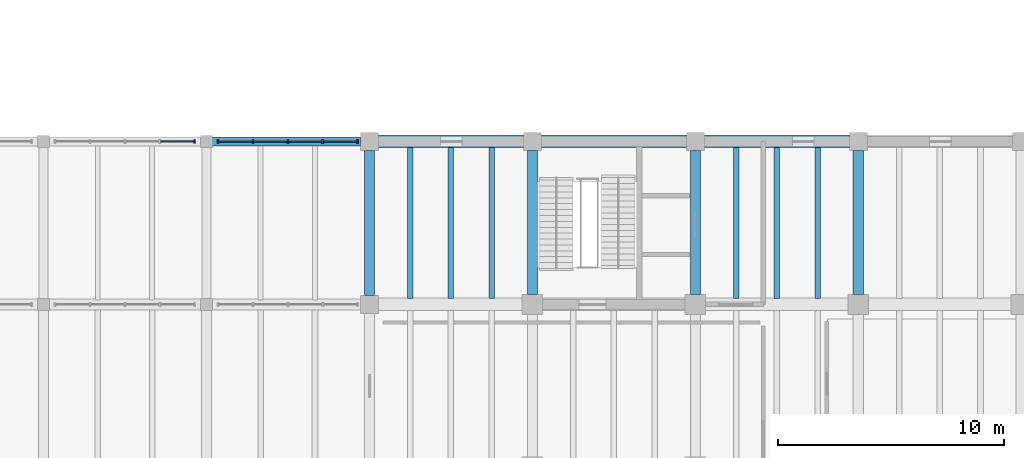
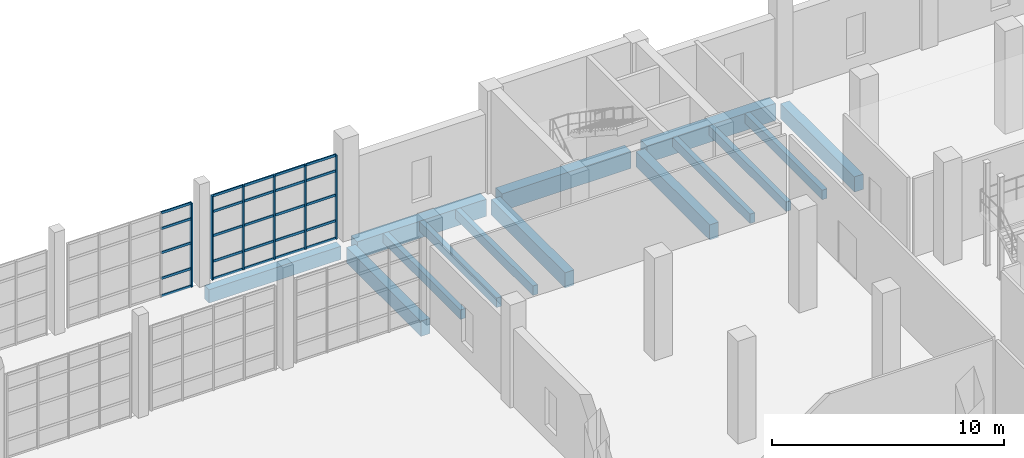
# One storey, part 46 of 79: 31 members, 14 beams, 2 elements without a shape of their own.
"""IFC4 building model written with IfcOpenShell, lengths in metres."""

from ifc_helpers import new_model, si_unit, direction, frame, origin, origin_2d, place, context, subcontext, project, spatial, rectangle, extrude, material, material_profile, profile_set, type_object, element, aggregate, save


model = new_model("IFC4")

# Units and contexts
model_context = context("Model", 3, precision=1e-05, world=origin(), true_north=direction((0.0, 1.0)))
body_context = subcontext(model_context, "Body", "Model", "MODEL_VIEW")
ifc_project = project(units=[si_unit("LENGTHUNIT", "METRE"), si_unit("AREAUNIT", "SQUARE_METRE"), si_unit("VOLUMEUNIT", "CUBIC_METRE"), si_unit("PLANEANGLEUNIT", "RADIAN"), si_unit("MASSUNIT", "GRAM", prefix="KILO")], contexts=[model_context])

# Site, building, storey
site_placement = place(None, origin())
site = spatial("IfcSite", under=ifc_project, at=site_placement, CompositionType="ELEMENT")
building_placement = place(site_placement, origin())
building = spatial("IfcBuilding", under=site, at=building_placement, Name="Qiaolan Assembly House", CompositionType="ELEMENT")
storey_placement = place(building_placement, origin())
storey = spatial("IfcBuildingStorey", under=building, at=storey_placement, Name="L00", CompositionType="ELEMENT", Elevation=0.0)

# Beams
ifc_material_1 = material(Name="Concrete C40/50", Category="concrete")
ifc_material_profile_1 = material_profile(ifc_material_1, rectangle(XDim=0.39990234375, YDim=0.699951171875, at=origin_2d()), Name="RCB 400x700")
ifc_profile_set_1 = profile_set([ifc_material_profile_1], Name="Concrete C40/50")
beam_type_1 = type_object("IfcBeamType", Name="BM-RC-400x700", PredefinedType="BEAM", material=ifc_profile_set_1)
beam_1_placement = place(storey_placement, frame((129.85009765625, 86.39990234375, -0.68994140625), z_axis=(1.0, 0.0, 0.0), x_axis=(0.0, 1.0, 0.0)))
element("IfcBeam", 1, at=beam_1_placement, inside=storey, type_object=beam_type_1, Name="GB-05 beam BMX-CLN-L00-03-01", PredefinedType="BEAM", context=body_context, shape_type="SweptSolid", body=[
    extrude(rectangle(XDim=0.39990234375, YDim=0.699951171875, at=origin_2d()), origin(), (0.0, 0.0, 1.0), 6.559814453125),
])
ifc_material_profile_2 = material_profile(ifc_material_1, rectangle(XDim=0.449951171875, YDim=0.800048828125, at=origin_2d()), Name="RCB 450x800")
ifc_profile_set_2 = profile_set([ifc_material_profile_2], Name="Concrete C40/50")
beam_type_2 = type_object("IfcBeamType", Name="BM-RC-450x800", PredefinedType="BEAM", material=ifc_profile_set_2)
beam_2_placement = place(storey_placement, frame((136.800048828125, 79.590087890625, -0.739990234375), z_axis=(0.0, 1.0, 0.0), x_axis=(-1.0, 0.0, 0.0)))
element("IfcBeam", 2, at=beam_2_placement, inside=storey, type_object=beam_type_2, Name="GB-03 beam BMY-LB-L00-00-07", PredefinedType="BEAM", context=body_context, shape_type="SweptSolid", body=[
    extrude(rectangle(XDim=0.449951171875, YDim=0.800048828125, at=origin_2d()), origin(), (0.0, 0.0, 1.0), 6.419921875),
])
for number, where, z_axis, x_axis, name in (
    (3, (144.0, 79.639892578125, -0.739990234375), (0.0, 1.0, 0.0), (-1.0, 0.0, 0.0), "GB-03 beam BMY-LB-L00-01-07"),
    (4, (151.199951171875, 79.639892578125, -0.739990234375), (0.0, 1.0, 0.0), (-1.0, 0.0, 0.0), "GB-03 beam BMY-LB-L00-02-07"),
    (5, (158.39990234375, 79.639892578125, -0.739990234375), (0.0, 1.0, 0.0), (-1.0, 0.0, 0.0), "GB-03 beam BMY-LB-L00-03-07"),
):
    element("IfcBeam", number, at=place(storey_placement, frame(where, z_axis=z_axis, x_axis=x_axis)), inside=storey, type_object=beam_type_2, Name=name, PredefinedType="BEAM", context=body_context, shape_type="SweptSolid", body=[
        extrude(rectangle(XDim=0.449951171875, YDim=0.800048828125, at=origin_2d()), origin(), (0.0, 0.0, 1.0), 6.3701171875),
    ])
ifc_material_2 = material(Name="Concrete C45/55", Category="concrete")
ifc_material_profile_3 = material_profile(ifc_material_2, rectangle(XDim=0.550048828125, YDim=0.89990234375, at=origin_2d()), Name="RCB 550x900")
ifc_profile_set_3 = profile_set([ifc_material_profile_3], Name="Concrete C45/55")
beam_type_3 = type_object("IfcBeamType", Name="BM-RC-550x900", PredefinedType="BEAM", material=ifc_profile_set_3)
for number, where, z_axis, x_axis, name in (
    (6, (137.18994140625, 86.39990234375, -0.7900390625), (1.0, 0.0, 0.0), (0.0, 1.0, 0.0), "GB-01 beam BMX-LB-L00-00-08"),
    (7, (144.389892578125, 86.39990234375, -0.7900390625), (1.0, 0.0, 0.0), (0.0, 1.0, 0.0), "GB-01 beam BMX-LB-L00-01-08"),
):
    element("IfcBeam", number, at=place(storey_placement, frame(where, z_axis=z_axis, x_axis=x_axis)), inside=storey, type_object=beam_type_3, Name=name, PredefinedType="BEAM", context=body_context, shape_type="SweptSolid", body=[
        extrude(rectangle(XDim=0.550048828125, YDim=0.89990234375, at=origin_2d()), origin(), (0.0, 0.0, 1.0), 6.420166015625),
    ])
beam_3_placement = place(storey_placement, frame((151.590087890625, 86.39990234375, -0.7900390625), z_axis=(1.0, 0.0, 0.0), x_axis=(0.0, 1.0, 0.0)))
element("IfcBeam", 8, at=beam_3_placement, inside=storey, type_object=beam_type_3, Name="GB-01 beam BMX-LB-L00-02-08", PredefinedType="BEAM", context=body_context, shape_type="SweptSolid", body=[
    extrude(rectangle(XDim=0.550048828125, YDim=0.89990234375, at=origin_2d()), origin(), (0.0, 0.0, 1.0), 6.419921875),
])

# Curtain wall, member
ifc_material_3 = material(Name="Anodised bronze aluminium", Category="aluminium")
curtain_wall_type = type_object("IfcCurtainWallType", Name="CW-CLOISTER-420", PredefinedType="NOTDEFINED", material=ifc_material_3)
curtain_wall_1_placement = place(storey_placement, origin())
curtain_wall_1 = element("IfcCurtainWall", 9, at=curtain_wall_1_placement, inside=storey, type_object=curtain_wall_type, Name="CW-05 North Cloister outer arcade L00-3", PredefinedType="NOTDEFINED")
ifc_material_profile_4 = material_profile(ifc_material_3, rectangle(XDim=0.070068359375, YDim=0.155029296875, at=origin_2d()), Name="MUL 70x155")
ifc_profile_set_4 = profile_set([ifc_material_profile_4], Name="Anodised bronze aluminium")
member_type_1 = type_object("IfcMemberType", Name="CW-CLOISTER-420-MUL", PredefinedType="MULLION", material=ifc_profile_set_4)
member_1_placement = place(storey_placement, frame((129.080078125, 86.39990234375, 0.0), z_axis=(0.0, 0.0, 1.0), x_axis=(-1.0, 0.0, 0.0)))
member_1 = element("IfcMember", 10, at=member_1_placement, type_object=member_type_1, Name="ML-06 mullion CW-CLN-OUT-L00-2-1", PredefinedType="MULLION", context=body_context, shape_type="SweptSolid", body=[
    extrude(rectangle(XDim=0.070068359375, YDim=0.155029296875, at=origin_2d()), origin(), (0.0, 0.0, 1.0), 4.419921875),
])

# Curtain wall, members
curtain_wall_2_placement = place(storey_placement, origin())
curtain_wall_2 = element("IfcCurtainWall", 11, at=curtain_wall_2_placement, inside=storey, type_object=curtain_wall_type, Name="CW-05 North Cloister outer arcade L00-4", PredefinedType="NOTDEFINED")
member_2_placement = place(storey_placement, frame((136.280029296875, 86.39990234375, 0.0), z_axis=(0.0, 0.0, 1.0), x_axis=(-1.0, 0.0, 0.0)))
member_2 = element("IfcMember", 12, at=member_2_placement, type_object=member_type_1, Name="ML-06 mullion CW-CLN-OUT-L00-3-1", PredefinedType="MULLION", context=body_context, shape_type="SweptSolid", body=[
    extrude(rectangle(XDim=0.070068359375, YDim=0.155029296875, at=origin_2d()), origin(), (0.0, 0.0, 1.0), 4.419921875),
])
member_3_placement = place(storey_placement, frame((134.739990234375, 86.39990234375, 0.0), z_axis=(0.0, 0.0, 1.0), x_axis=(-1.0, 0.0, 0.0)))
member_3 = element("IfcMember", 13, at=member_3_placement, type_object=member_type_1, Name="ML-06 mullion CW-CLN-OUT-L00-3-2", PredefinedType="MULLION", context=body_context, shape_type="SweptSolid", body=[
    extrude(rectangle(XDim=0.070068359375, YDim=0.155029296875, at=origin_2d()), origin(), (0.0, 0.0, 1.0), 4.419921875),
])
member_4_placement = place(storey_placement, frame((133.199951171875, 86.39990234375, 0.0), z_axis=(0.0, 0.0, 1.0), x_axis=(-1.0, 0.0, 0.0)))
member_4 = element("IfcMember", 14, at=member_4_placement, type_object=member_type_1, Name="ML-06 mullion CW-CLN-OUT-L00-3-3", PredefinedType="MULLION", context=body_context, shape_type="SweptSolid", body=[
    extrude(rectangle(XDim=0.070068359375, YDim=0.155029296875, at=origin_2d()), origin(), (0.0, 0.0, 1.0), 4.419921875),
])
member_5_placement = place(storey_placement, frame((131.659912109375, 86.39990234375, 0.0), z_axis=(0.0, 0.0, 1.0), x_axis=(-1.0, 0.0, 0.0)))
member_5 = element("IfcMember", 15, at=member_5_placement, type_object=member_type_1, Name="ML-06 mullion CW-CLN-OUT-L00-3-4", PredefinedType="MULLION", context=body_context, shape_type="SweptSolid", body=[
    extrude(rectangle(XDim=0.070068359375, YDim=0.155029296875, at=origin_2d()), origin(), (0.0, 0.0, 1.0), 4.419921875),
])
member_6_placement = place(storey_placement, frame((130.1201171875, 86.39990234375, 0.0), z_axis=(0.0, 0.0, 1.0), x_axis=(-1.0, 0.0, 0.0)))
member_6 = element("IfcMember", 16, at=member_6_placement, type_object=member_type_1, Name="ML-06 mullion CW-CLN-OUT-L00-3-5", PredefinedType="MULLION", context=body_context, shape_type="SweptSolid", body=[
    extrude(rectangle(XDim=0.070068359375, YDim=0.155029296875, at=origin_2d()), origin(), (0.0, 0.0, 1.0), 4.419921875),
])

# Member
ifc_material_profile_5 = material_profile(ifc_material_3, rectangle(XDim=0.06201171875, YDim=0.125, at=origin_2d()), Name="TRN 62x125")
ifc_profile_set_5 = profile_set([ifc_material_profile_5], Name="Anodised bronze aluminium")
member_type_2 = type_object("IfcMemberType", Name="CW-CLOISTER-420-TRN", PredefinedType="USERDEFINED", material=ifc_profile_set_5)
member_7_placement = place(storey_placement, frame((129.044921875, 86.39990234375, 0.030029296875), z_axis=(-1.0, 0.0, 0.0), x_axis=(0.0, -1.0, 0.0)))
member_7 = element("IfcMember", 17, at=member_7_placement, type_object=member_type_2, Name="TR-06 transom CW-CLN-OUT-L00-2-1-1", ObjectType="TRANSOM", PredefinedType="USERDEFINED", context=body_context, shape_type="SweptSolid", body=[
    extrude(rectangle(XDim=0.06201171875, YDim=0.125, at=origin_2d()), origin(), (0.0, 0.0, 1.0), 1.469970703125),
])

member_8_placement = place(storey_placement, frame((129.044921875, 86.39990234375, 0.949951171875), z_axis=(-1.0, 0.0, 0.0), x_axis=(0.0, -1.0, 0.0)))
member_8 = element("IfcMember", 18, at=member_8_placement, type_object=member_type_2, Name="TR-06 transom CW-CLN-OUT-L00-2-1-2", ObjectType="TRANSOM", PredefinedType="USERDEFINED", context=body_context, shape_type="SweptSolid", body=[
    extrude(rectangle(XDim=0.06201171875, YDim=0.125, at=origin_2d()), origin(), (0.0, 0.0, 1.0), 1.469970703125),
])

member_9_placement = place(storey_placement, frame((129.044921875, 86.39990234375, 2.29833984375), z_axis=(-1.0, 0.0, 0.0), x_axis=(0.0, -1.0, 0.0)))
member_9 = element("IfcMember", 19, at=member_9_placement, type_object=member_type_2, Name="TR-06 transom CW-CLN-OUT-L00-2-1-3", ObjectType="TRANSOM", PredefinedType="USERDEFINED", context=body_context, shape_type="SweptSolid", body=[
    extrude(rectangle(XDim=0.06201171875, YDim=0.125, at=origin_2d()), origin(), (0.0, 0.0, 1.0), 1.469970703125),
])

member_10_placement = place(storey_placement, frame((129.044921875, 86.39990234375, 3.570068359375), z_axis=(-1.0, 0.0, 0.0), x_axis=(0.0, -1.0, 0.0)))
member_10 = element("IfcMember", 20, at=member_10_placement, type_object=member_type_2, Name="TR-06 transom CW-CLN-OUT-L00-2-1-4", ObjectType="TRANSOM", PredefinedType="USERDEFINED", context=body_context, shape_type="SweptSolid", body=[
    extrude(rectangle(XDim=0.06201171875, YDim=0.125, at=origin_2d()), origin(), (0.0, 0.0, 1.0), 1.469970703125),
])

member_11_placement = place(storey_placement, frame((129.044921875, 86.39990234375, 4.389892578125), z_axis=(-1.0, 0.0, 0.0), x_axis=(0.0, -1.0, 0.0)))
member_11 = element("IfcMember", 21, at=member_11_placement, type_object=member_type_2, Name="TR-06 transom CW-CLN-OUT-L00-2-1-5", ObjectType="TRANSOM", PredefinedType="USERDEFINED", context=body_context, shape_type="SweptSolid", body=[
    extrude(rectangle(XDim=0.06201171875, YDim=0.125, at=origin_2d()), origin(), (0.0, 0.0, 1.0), 1.469970703125),
])

aggregate(curtain_wall_1, [member_1, member_7, member_8, member_9, member_10, member_11])

member_12_placement = place(storey_placement, frame((136.2451171875, 86.39990234375, 0.030029296875), z_axis=(-1.0, 0.0, 0.0), x_axis=(0.0, -1.0, 0.0)))
member_12 = element("IfcMember", 22, at=member_12_placement, type_object=member_type_2, Name="TR-06 transom CW-CLN-OUT-L00-3-1-1", ObjectType="TRANSOM", PredefinedType="USERDEFINED", context=body_context, shape_type="SweptSolid", body=[
    extrude(rectangle(XDim=0.06201171875, YDim=0.125, at=origin_2d()), origin(), (0.0, 0.0, 1.0), 1.47021484375),
])

member_13_placement = place(storey_placement, frame((136.2451171875, 86.39990234375, 0.949951171875), z_axis=(-1.0, 0.0, 0.0), x_axis=(0.0, -1.0, 0.0)))
member_13 = element("IfcMember", 23, at=member_13_placement, type_object=member_type_2, Name="TR-06 transom CW-CLN-OUT-L00-3-1-2", ObjectType="TRANSOM", PredefinedType="USERDEFINED", context=body_context, shape_type="SweptSolid", body=[
    extrude(rectangle(XDim=0.06201171875, YDim=0.125, at=origin_2d()), origin(), (0.0, 0.0, 1.0), 1.47021484375),
])

member_14_placement = place(storey_placement, frame((136.2451171875, 86.39990234375, 2.29833984375), z_axis=(-1.0, 0.0, 0.0), x_axis=(0.0, -1.0, 0.0)))
member_14 = element("IfcMember", 24, at=member_14_placement, type_object=member_type_2, Name="TR-06 transom CW-CLN-OUT-L00-3-1-3", ObjectType="TRANSOM", PredefinedType="USERDEFINED", context=body_context, shape_type="SweptSolid", body=[
    extrude(rectangle(XDim=0.06201171875, YDim=0.125, at=origin_2d()), origin(), (0.0, 0.0, 1.0), 1.47021484375),
])

member_15_placement = place(storey_placement, frame((136.2451171875, 86.39990234375, 3.570068359375), z_axis=(-1.0, 0.0, 0.0), x_axis=(0.0, -1.0, 0.0)))
member_15 = element("IfcMember", 25, at=member_15_placement, type_object=member_type_2, Name="TR-06 transom CW-CLN-OUT-L00-3-1-4", ObjectType="TRANSOM", PredefinedType="USERDEFINED", context=body_context, shape_type="SweptSolid", body=[
    extrude(rectangle(XDim=0.06201171875, YDim=0.125, at=origin_2d()), origin(), (0.0, 0.0, 1.0), 1.47021484375),
])

member_16_placement = place(storey_placement, frame((136.2451171875, 86.39990234375, 4.389892578125), z_axis=(-1.0, 0.0, 0.0), x_axis=(0.0, -1.0, 0.0)))
member_16 = element("IfcMember", 26, at=member_16_placement, type_object=member_type_2, Name="TR-06 transom CW-CLN-OUT-L00-3-1-5", ObjectType="TRANSOM", PredefinedType="USERDEFINED", context=body_context, shape_type="SweptSolid", body=[
    extrude(rectangle(XDim=0.06201171875, YDim=0.125, at=origin_2d()), origin(), (0.0, 0.0, 1.0), 1.47021484375),
])

member_17_placement = place(storey_placement, frame((134.705078125, 86.39990234375, 0.030029296875), z_axis=(-1.0, 0.0, 0.0), x_axis=(0.0, -1.0, 0.0)))
member_17 = element("IfcMember", 27, at=member_17_placement, type_object=member_type_2, Name="TR-06 transom CW-CLN-OUT-L00-3-2-1", ObjectType="TRANSOM", PredefinedType="USERDEFINED", context=body_context, shape_type="SweptSolid", body=[
    extrude(rectangle(XDim=0.06201171875, YDim=0.125, at=origin_2d()), origin(), (0.0, 0.0, 1.0), 1.469970703125),
])

member_18_placement = place(storey_placement, frame((134.705078125, 86.39990234375, 0.949951171875), z_axis=(-1.0, 0.0, 0.0), x_axis=(0.0, -1.0, 0.0)))
member_18 = element("IfcMember", 28, at=member_18_placement, type_object=member_type_2, Name="TR-06 transom CW-CLN-OUT-L00-3-2-2", ObjectType="TRANSOM", PredefinedType="USERDEFINED", context=body_context, shape_type="SweptSolid", body=[
    extrude(rectangle(XDim=0.06201171875, YDim=0.125, at=origin_2d()), origin(), (0.0, 0.0, 1.0), 1.469970703125),
])

member_19_placement = place(storey_placement, frame((134.705078125, 86.39990234375, 2.29833984375), z_axis=(-1.0, 0.0, 0.0), x_axis=(0.0, -1.0, 0.0)))
member_19 = element("IfcMember", 29, at=member_19_placement, type_object=member_type_2, Name="TR-06 transom CW-CLN-OUT-L00-3-2-3", ObjectType="TRANSOM", PredefinedType="USERDEFINED", context=body_context, shape_type="SweptSolid", body=[
    extrude(rectangle(XDim=0.06201171875, YDim=0.125, at=origin_2d()), origin(), (0.0, 0.0, 1.0), 1.469970703125),
])

member_20_placement = place(storey_placement, frame((134.705078125, 86.39990234375, 3.570068359375), z_axis=(-1.0, 0.0, 0.0), x_axis=(0.0, -1.0, 0.0)))
member_20 = element("IfcMember", 30, at=member_20_placement, type_object=member_type_2, Name="TR-06 transom CW-CLN-OUT-L00-3-2-4", ObjectType="TRANSOM", PredefinedType="USERDEFINED", context=body_context, shape_type="SweptSolid", body=[
    extrude(rectangle(XDim=0.06201171875, YDim=0.125, at=origin_2d()), origin(), (0.0, 0.0, 1.0), 1.469970703125),
])

member_21_placement = place(storey_placement, frame((134.705078125, 86.39990234375, 4.389892578125), z_axis=(-1.0, 0.0, 0.0), x_axis=(0.0, -1.0, 0.0)))
member_21 = element("IfcMember", 31, at=member_21_placement, type_object=member_type_2, Name="TR-06 transom CW-CLN-OUT-L00-3-2-5", ObjectType="TRANSOM", PredefinedType="USERDEFINED", context=body_context, shape_type="SweptSolid", body=[
    extrude(rectangle(XDim=0.06201171875, YDim=0.125, at=origin_2d()), origin(), (0.0, 0.0, 1.0), 1.469970703125),
])

member_22_placement = place(storey_placement, frame((133.1650390625, 86.39990234375, 0.030029296875), z_axis=(-1.0, 0.0, 0.0), x_axis=(0.0, -1.0, 0.0)))
member_22 = element("IfcMember", 32, at=member_22_placement, type_object=member_type_2, Name="TR-06 transom CW-CLN-OUT-L00-3-3-1", ObjectType="TRANSOM", PredefinedType="USERDEFINED", context=body_context, shape_type="SweptSolid", body=[
    extrude(rectangle(XDim=0.06201171875, YDim=0.125, at=origin_2d()), origin(), (0.0, 0.0, 1.0), 1.469970703125),
])

member_23_placement = place(storey_placement, frame((133.1650390625, 86.39990234375, 0.949951171875), z_axis=(-1.0, 0.0, 0.0), x_axis=(0.0, -1.0, 0.0)))
member_23 = element("IfcMember", 33, at=member_23_placement, type_object=member_type_2, Name="TR-06 transom CW-CLN-OUT-L00-3-3-2", ObjectType="TRANSOM", PredefinedType="USERDEFINED", context=body_context, shape_type="SweptSolid", body=[
    extrude(rectangle(XDim=0.06201171875, YDim=0.125, at=origin_2d()), origin(), (0.0, 0.0, 1.0), 1.469970703125),
])

member_24_placement = place(storey_placement, frame((133.1650390625, 86.39990234375, 2.29833984375), z_axis=(-1.0, 0.0, 0.0), x_axis=(0.0, -1.0, 0.0)))
member_24 = element("IfcMember", 34, at=member_24_placement, type_object=member_type_2, Name="TR-06 transom CW-CLN-OUT-L00-3-3-3", ObjectType="TRANSOM", PredefinedType="USERDEFINED", context=body_context, shape_type="SweptSolid", body=[
    extrude(rectangle(XDim=0.06201171875, YDim=0.125, at=origin_2d()), origin(), (0.0, 0.0, 1.0), 1.469970703125),
])

member_25_placement = place(storey_placement, frame((133.1650390625, 86.39990234375, 3.570068359375), z_axis=(-1.0, 0.0, 0.0), x_axis=(0.0, -1.0, 0.0)))
member_25 = element("IfcMember", 35, at=member_25_placement, type_object=member_type_2, Name="TR-06 transom CW-CLN-OUT-L00-3-3-4", ObjectType="TRANSOM", PredefinedType="USERDEFINED", context=body_context, shape_type="SweptSolid", body=[
    extrude(rectangle(XDim=0.06201171875, YDim=0.125, at=origin_2d()), origin(), (0.0, 0.0, 1.0), 1.469970703125),
])

member_26_placement = place(storey_placement, frame((133.1650390625, 86.39990234375, 4.389892578125), z_axis=(-1.0, 0.0, 0.0), x_axis=(0.0, -1.0, 0.0)))
member_26 = element("IfcMember", 36, at=member_26_placement, type_object=member_type_2, Name="TR-06 transom CW-CLN-OUT-L00-3-3-5", ObjectType="TRANSOM", PredefinedType="USERDEFINED", context=body_context, shape_type="SweptSolid", body=[
    extrude(rectangle(XDim=0.06201171875, YDim=0.125, at=origin_2d()), origin(), (0.0, 0.0, 1.0), 1.469970703125),
])

member_27_placement = place(storey_placement, frame((131.625, 86.39990234375, 0.030029296875), z_axis=(-1.0, 0.0, 0.0), x_axis=(0.0, -1.0, 0.0)))
member_27 = element("IfcMember", 37, at=member_27_placement, type_object=member_type_2, Name="TR-06 transom CW-CLN-OUT-L00-3-4-1", ObjectType="TRANSOM", PredefinedType="USERDEFINED", context=body_context, shape_type="SweptSolid", body=[
    extrude(rectangle(XDim=0.06201171875, YDim=0.125, at=origin_2d()), origin(), (0.0, 0.0, 1.0), 1.469970703125),
])

member_28_placement = place(storey_placement, frame((131.625, 86.39990234375, 0.949951171875), z_axis=(-1.0, 0.0, 0.0), x_axis=(0.0, -1.0, 0.0)))
member_28 = element("IfcMember", 38, at=member_28_placement, type_object=member_type_2, Name="TR-06 transom CW-CLN-OUT-L00-3-4-2", ObjectType="TRANSOM", PredefinedType="USERDEFINED", context=body_context, shape_type="SweptSolid", body=[
    extrude(rectangle(XDim=0.06201171875, YDim=0.125, at=origin_2d()), origin(), (0.0, 0.0, 1.0), 1.469970703125),
])

member_29_placement = place(storey_placement, frame((131.625, 86.39990234375, 2.29833984375), z_axis=(-1.0, 0.0, 0.0), x_axis=(0.0, -1.0, 0.0)))
member_29 = element("IfcMember", 39, at=member_29_placement, type_object=member_type_2, Name="TR-06 transom CW-CLN-OUT-L00-3-4-3", ObjectType="TRANSOM", PredefinedType="USERDEFINED", context=body_context, shape_type="SweptSolid", body=[
    extrude(rectangle(XDim=0.06201171875, YDim=0.125, at=origin_2d()), origin(), (0.0, 0.0, 1.0), 1.469970703125),
])

member_30_placement = place(storey_placement, frame((131.625, 86.39990234375, 3.570068359375), z_axis=(-1.0, 0.0, 0.0), x_axis=(0.0, -1.0, 0.0)))
member_30 = element("IfcMember", 40, at=member_30_placement, type_object=member_type_2, Name="TR-06 transom CW-CLN-OUT-L00-3-4-4", ObjectType="TRANSOM", PredefinedType="USERDEFINED", context=body_context, shape_type="SweptSolid", body=[
    extrude(rectangle(XDim=0.06201171875, YDim=0.125, at=origin_2d()), origin(), (0.0, 0.0, 1.0), 1.469970703125),
])

member_31_placement = place(storey_placement, frame((131.625, 86.39990234375, 4.389892578125), z_axis=(-1.0, 0.0, 0.0), x_axis=(0.0, -1.0, 0.0)))
member_31 = element("IfcMember", 41, at=member_31_placement, type_object=member_type_2, Name="TR-06 transom CW-CLN-OUT-L00-3-4-5", ObjectType="TRANSOM", PredefinedType="USERDEFINED", context=body_context, shape_type="SweptSolid", body=[
    extrude(rectangle(XDim=0.06201171875, YDim=0.125, at=origin_2d()), origin(), (0.0, 0.0, 1.0), 1.469970703125),
])

aggregate(curtain_wall_2, [member_2, member_3, member_4, member_5, member_6, member_12, member_13, member_14, member_15, member_16, member_17, member_18, member_19, member_20, member_21, member_22, member_23, member_24, member_25, member_26, member_27, member_28, member_29, member_30, member_31])

# Beams
ifc_material_profile_6 = material_profile(ifc_material_1, rectangle(XDim=0.25, YDim=0.5, at=origin_2d()), Name="RCB 250x500")
ifc_profile_set_6 = profile_set([ifc_material_profile_6], Name="Concrete C40/50")
beam_type_4 = type_object("IfcBeamType", Name="JST-RC-250x500", PredefinedType="JOIST", material=ifc_profile_set_6)
for number, where, z_axis, x_axis, name in (
    (42, (138.60009765625, 79.468994140625, -0.590087890625), (0.0, 1.0, 0.0), (-1.0, 0.0, 0.0), "RJ-01 beam JST-LB-L00-00-07-1"),
    (43, (140.39990234375, 79.468994140625, -0.590087890625), (0.0, 1.0, 0.0), (-1.0, 0.0, 0.0), "RJ-01 beam JST-LB-L00-00-07-2"),
    (44, (142.199951171875, 79.468994140625, -0.590087890625), (0.0, 1.0, 0.0), (-1.0, 0.0, 0.0), "RJ-01 beam JST-LB-L00-00-07-3"),
    (45, (153.0, 79.468994140625, -0.590087890625), (0.0, 1.0, 0.0), (-1.0, 0.0, 0.0), "RJ-01 beam JST-LB-L00-02-07-1"),
    (46, (154.800048828125, 79.468994140625, -0.590087890625), (0.0, 1.0, 0.0), (-1.0, 0.0, 0.0), "RJ-01 beam JST-LB-L00-02-07-2"),
    (47, (156.60009765625, 79.468994140625, -0.590087890625), (0.0, 1.0, 0.0), (-1.0, 0.0, 0.0), "RJ-01 beam JST-LB-L00-02-07-3"),
):
    element("IfcBeam", number, at=place(storey_placement, frame(where, z_axis=z_axis, x_axis=x_axis)), inside=storey, type_object=beam_type_4, Name=name, PredefinedType="JOIST", context=body_context, shape_type="SweptSolid", body=[
        extrude(rectangle(XDim=0.25, YDim=0.5, at=origin_2d()), origin(), (0.0, 0.0, 1.0), 6.662109375),
    ])

save(model, "model.ifc")
